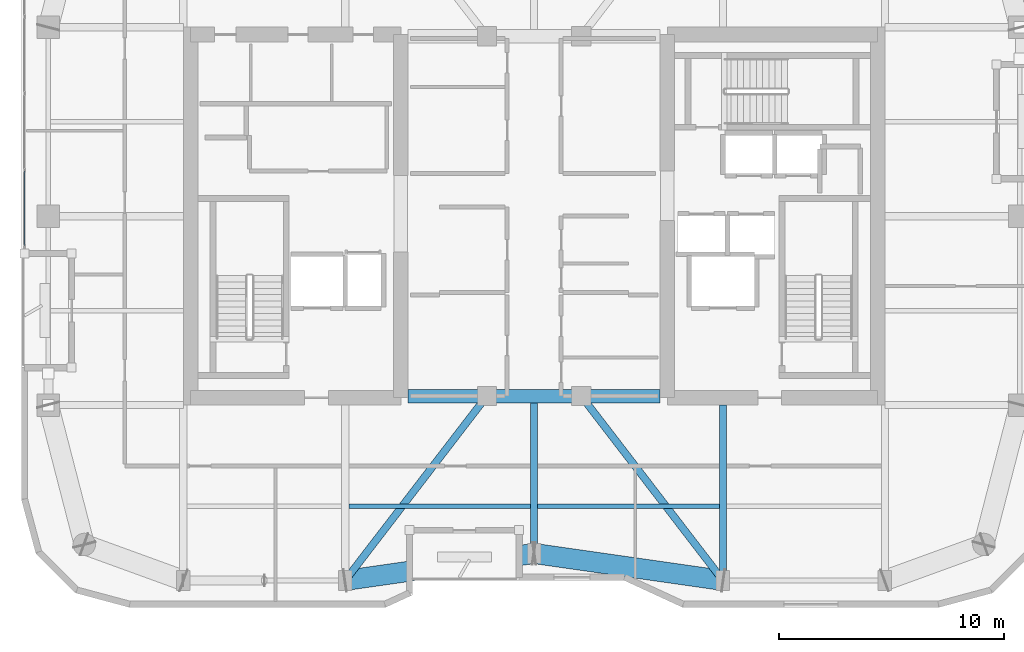
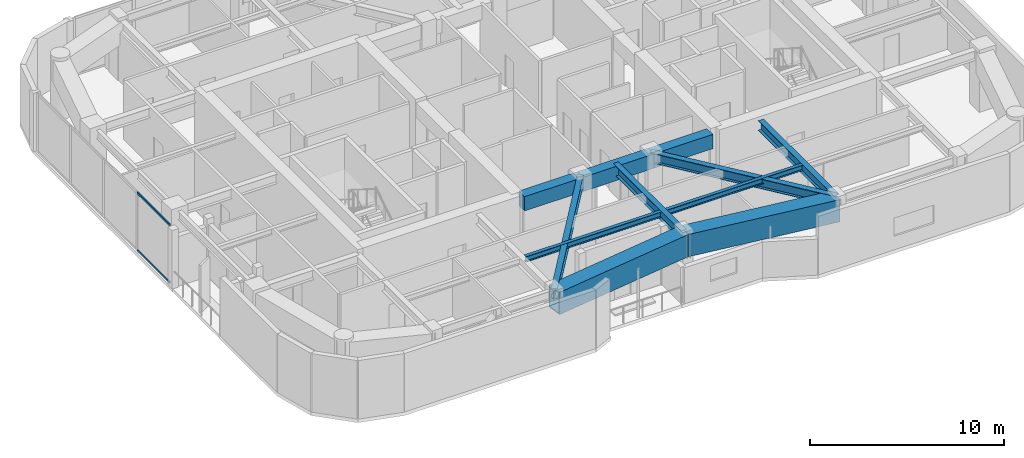
# One storey, part 3 of 15: 11 beams, 2 members, 1 element without a shape of its own.
"""IFC4 building model written with IfcOpenShell, lengths in metres."""

from ifc_helpers import new_model, si_unit, direction, frame, origin, origin_2d, place, context, subcontext, project, spatial, rectangle, hollow_rectangle, i_section, extrude, material, layer, layer_set, material_profile, profile_set, type_object, element, aggregate, save


model = new_model("IFC4")

# Units and contexts
model_context = context("Model", 3, precision=1e-05, world=origin(), true_north=direction((0.0, 1.0)))
body_context = subcontext(model_context, "Body", "Model", "MODEL_VIEW")
ifc_project = project(units=[si_unit("LENGTHUNIT", "METRE"), si_unit("AREAUNIT", "SQUARE_METRE"), si_unit("VOLUMEUNIT", "CUBIC_METRE"), si_unit("PLANEANGLEUNIT", "RADIAN"), si_unit("MASSUNIT", "GRAM", prefix="KILO")], contexts=[model_context])

# Site, building, storey
site_placement = place(None, origin())
site = spatial("IfcSite", under=ifc_project, at=site_placement, CompositionType="ELEMENT")
building_placement = place(site_placement, origin())
building = spatial("IfcBuilding", under=site, at=building_placement, Name="Kiyonajd Concourse Tower", CompositionType="ELEMENT")
storey_placement = place(building_placement, frame((0.0, 0.0, 258.89990234375)))
storey = spatial("IfcBuildingStorey", under=building, at=storey_placement, Name="L65", CompositionType="ELEMENT", Elevation=258.89990234375)

# Beams
ifc_material_1 = material(Name="Concrete C60/75", Category="concrete")
ifc_material_profile_1 = material_profile(ifc_material_1, rectangle(XDim=0.60009765625, YDim=0.89990234375, at=origin_2d()), Name="RCBM-600x900")
ifc_profile_set_1 = profile_set([ifc_material_profile_1], Name="Concrete C60/75")
beam_type_1 = type_object("IfcBeamType", Name="BM-COUP-900", PredefinedType="LINTEL", material=ifc_profile_set_1)
beam_1_placement = place(storey_placement, frame((42.39990234375, 28.0, 3.22998046875), z_axis=(1.0, 0.0, 0.0), x_axis=(0.0, 1.0, 0.0)))
element("IfcBeam", 1, at=beam_1_placement, inside=storey, type_object=beam_type_1, Name="L65 Core Coupling Beam S1", PredefinedType="LINTEL", context=body_context, shape_type="SweptSolid", body=[
    extrude(rectangle(XDim=0.60009765625, YDim=0.89990234375, at=origin_2d()), origin(), (0.0, 0.0, 1.0), 3.5),
])
beam_2_placement = place(storey_placement, frame((45.89990234375, 28.0, 3.22998046875), z_axis=(1.0, 0.0, 0.0), x_axis=(0.0, 1.0, 0.0)))
element("IfcBeam", 2, at=beam_2_placement, inside=storey, type_object=beam_type_1, Name="L65 Core Coupling Beam S2", PredefinedType="LINTEL", context=body_context, shape_type="SweptSolid", body=[
    extrude(rectangle(XDim=0.60009765625, YDim=0.89990234375, at=origin_2d()), origin(), (0.0, 0.0, 1.0), 4.2001953125),
])
beam_3_placement = place(storey_placement, frame((50.10009765625, 28.0, 3.22998046875), z_axis=(1.0, 0.0, 0.0), x_axis=(0.0, 1.0, 0.0)))
element("IfcBeam", 3, at=beam_3_placement, inside=storey, type_object=beam_type_1, Name="L65 Core Coupling Beam S3", PredefinedType="LINTEL", context=body_context, shape_type="SweptSolid", body=[
    extrude(rectangle(XDim=0.60009765625, YDim=0.89990234375, at=origin_2d()), origin(), (0.0, 0.0, 1.0), 3.5),
])
ifc_material_2 = material(Name="Steel ASTM A992 Grade 50", Category="steel")
ifc_material_profile_2 = material_profile(ifc_material_2, i_section(OverallWidth=0.205078125, OverallDepth=0.35400390625, WebThickness=0.009521484375, FlangeThickness=0.016845703125, at=origin_2d()), Name="W360X79")
ifc_profile_set_2 = profile_set([ifc_material_profile_2], Name="Steel ASTM A992 Grade 50")
beam_type_2 = type_object("IfcBeamType", Name="BM-JST-360", PredefinedType="JOIST", material=ifc_profile_set_2)
for number, where, z_axis, x_axis, name in (
    (4, (39.761962890625, 23.10009765625, 3.503173828125), (1.0, 0.0, 0.0), (0.0, 1.0, 0.0), "L65 Secondary Floor Joist"),
    (5, (48.162109375, 23.10009765625, 3.503173828125), (1.0, 0.0, 0.0), (0.0, 1.0, 0.0), "L65 Secondary Floor Joist"),
):
    element("IfcBeam", number, at=place(storey_placement, frame(where, z_axis=z_axis, x_axis=x_axis)), inside=storey, type_object=beam_type_2, Name=name, PredefinedType="JOIST", context=body_context, shape_type="SweptSolid", body=[
        extrude(i_section(OverallWidth=0.205078125, OverallDepth=0.35400390625, WebThickness=0.009521484375, FlangeThickness=0.016845703125, at=origin_2d()), origin(), (0.0, 0.0, 1.0), 8.075927734375),
    ])
ifc_material_profile_3 = material_profile(ifc_material_2, i_section(OverallWidth=0.326904296875, OverallDepth=0.6220703125, WebThickness=0.015380859375, FlangeThickness=0.0244140625, at=origin_2d()), Name="W610X195")
ifc_profile_set_3 = profile_set([ifc_material_profile_3], Name="Steel ASTM A992 Grade 50")
beam_type_3 = type_object("IfcBeamType", Name="BM-TWR-610A", PredefinedType="BEAM", material=ifc_profile_set_3)
for number, where, z_axis, x_axis, name in (
    (6, (39.60009765625, 19.800048828125, 3.369140625), (0.609233709922, 0.792990722956, 0.0), (-0.792990722956, 0.609233709922, 0.0), "L65 Core Tie Girder"),
    (7, (50.10009765625, 28.0, 3.369140625), (0.609233709922, -0.792990722956, 0.0), (0.792990722956, 0.609233709922, 0.0), "L65 Core Tie Girder"),
):
    element("IfcBeam", number, at=place(storey_placement, frame(where, z_axis=z_axis, x_axis=x_axis)), inside=storey, type_object=beam_type_3, Name=name, PredefinedType="BEAM", context=body_context, shape_type="SweptSolid", body=[
        extrude(i_section(OverallWidth=0.326904296875, OverallDepth=0.6220703125, WebThickness=0.015380859375, FlangeThickness=0.0244140625, at=origin_2d()), origin(), (0.0, 0.0, 1.0), 10.340576171875),
    ])
ifc_material_profile_4 = material_profile(ifc_material_2, i_section(OverallWidth=0.323974609375, OverallDepth=0.611083984375, WebThickness=0.0126953125, FlangeThickness=0.01904296875, at=origin_2d()), Name="W610X155")
ifc_profile_set_4 = profile_set([ifc_material_profile_4], Name="Steel ASTM A992 Grade 50")
beam_type_4 = type_object("IfcBeamType", Name="BM-TWR-610B", PredefinedType="BEAM", material=ifc_profile_set_4)
beam_4_placement = place(storey_placement, frame((56.39990234375, 19.800048828125, 3.37451171875), z_axis=(0.0, 1.0, 0.0), x_axis=(-1.0, 0.0, 0.0)))
element("IfcBeam", 8, at=beam_4_placement, inside=storey, type_object=beam_type_4, Name="L65 South Lease Girder", PredefinedType="BEAM", context=body_context, shape_type="SweptSolid", body=[
    extrude(i_section(OverallWidth=0.323974609375, OverallDepth=0.611083984375, WebThickness=0.0126953125, FlangeThickness=0.01904296875, at=origin_2d()), origin(), (0.0, 0.0, 1.0), 7.800048828125),
])
beam_5_placement = place(storey_placement, frame((48.0, 21.0, 3.37451171875), z_axis=(0.0, 1.0, 0.0), x_axis=(-1.0, 0.0, 0.0)))
element("IfcBeam", 9, at=beam_5_placement, inside=storey, type_object=beam_type_4, Name="L65 South Ribbon Girder", PredefinedType="BEAM", context=body_context, shape_type="SweptSolid", body=[
    extrude(i_section(OverallWidth=0.323974609375, OverallDepth=0.611083984375, WebThickness=0.0126953125, FlangeThickness=0.01904296875, at=origin_2d()), origin(), (0.0, 0.0, 1.0), 7.0),
])
ifc_material_3 = material(Name="Steel ASTM A572 Grade 50", Category="steel")
ifc_material_profile_5 = material_profile(ifc_material_3, hollow_rectangle(XDim=0.89990234375, YDim=1.39990234375, WallThickness=0.070068359375, at=origin_2d()), Name="BOX-1400x900x70")
ifc_profile_set_5 = profile_set([ifc_material_profile_5], Name="Steel ASTM A572 Grade 50")
beam_type_5 = type_object("IfcBeamType", Name="BM-XFER-1400", PredefinedType="BEAM", material=ifc_profile_set_5)
for number, where, z_axis, x_axis, name in (
    (10, (39.60009765625, 19.800048828125, 2.97998046875), (0.989950069105, 0.141417328072, 0.0), (-0.141417328072, 0.989950069105, 0.0), "L65 Perimeter Bundled Tube Spandrel"),
    (11, (48.0, 21.0, 2.97998046875), (0.989950069105, -0.141417328072, 0.0), (0.141417328072, 0.989950069105, 0.0), "L65 Perimeter Bundled Tube Spandrel"),
):
    element("IfcBeam", number, at=place(storey_placement, frame(where, z_axis=z_axis, x_axis=x_axis)), inside=storey, type_object=beam_type_5, Name=name, PredefinedType="BEAM", context=body_context, shape_type="SweptSolid", body=[
        extrude(hollow_rectangle(XDim=0.89990234375, YDim=1.39990234375, WallThickness=0.070068359375, at=origin_2d()), origin(), (0.0, 0.0, 1.0), 8.485107421875),
    ])

# Curtain wall, members
ifc_material_4 = material(Name="Thermally Broken Anodised Aluminium", Category="aluminium")
ifc_layer = layer(ifc_material_4, 0.179931640625)
ifc_layer_set = layer_set([ifc_layer], Name="Thermally Broken Anodised Aluminium")
curtain_wall_type = type_object("IfcCurtainWallType", Name="CW-SYS-04", PredefinedType="NOTDEFINED", material=ifc_layer_set)
curtain_wall_placement = place(storey_placement, origin())
curtain_wall = element("IfcCurtainWall", 12, at=curtain_wall_placement, inside=storey, type_object=curtain_wall_type, Name="L65 Unitised Curtain Wall CW4", PredefinedType="NOTDEFINED")
ifc_material_profile_6 = material_profile(ifc_material_4, hollow_rectangle(XDim=0.06494140625, YDim=0.139892578125, WallThickness=0.00390625, at=origin_2d()), Name="TRAN-65x140")
ifc_profile_set_6 = profile_set([ifc_material_profile_6], Name="Thermally Broken Anodised Aluminium")
member_type = type_object("IfcMemberType", Name="MB-CW-TRAN1", PredefinedType="USERDEFINED", material=ifc_profile_set_6)
member_1_placement = place(storey_placement, frame((25.340087890625, 34.695068359375, 0.03271484375), z_axis=(0.0, 1.0, 0.0), x_axis=(-1.0, 0.0, 0.0)))
member_1 = element("IfcMember", 13, at=member_1_placement, type_object=member_type, Name="CW4 transom 1.1", ObjectType="TRANSOM", PredefinedType="USERDEFINED", context=body_context, shape_type="SweptSolid", body=[
    extrude(hollow_rectangle(XDim=0.06494140625, YDim=0.139892578125, WallThickness=0.00390625, at=origin_2d()), origin(), (0.0, 0.0, 1.0), 3.31787109375),
])
member_2_placement = place(storey_placement, frame((25.340087890625, 34.695068359375, 3.647705078125), z_axis=(0.0, 1.0, 0.0), x_axis=(-1.0, 0.0, 0.0)))
member_2 = element("IfcMember", 14, at=member_2_placement, type_object=member_type, Name="CW4 transom 1.2", ObjectType="TRANSOM", PredefinedType="USERDEFINED", context=body_context, shape_type="SweptSolid", body=[
    extrude(hollow_rectangle(XDim=0.06494140625, YDim=0.139892578125, WallThickness=0.00390625, at=origin_2d()), origin(), (0.0, 0.0, 1.0), 3.31787109375),
])
aggregate(curtain_wall, [member_1, member_2])

save(model, "model.ifc")
